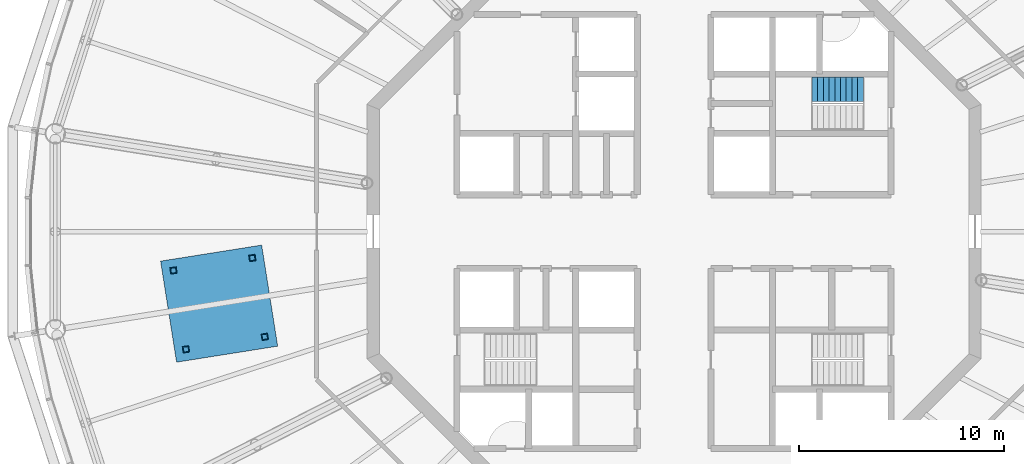
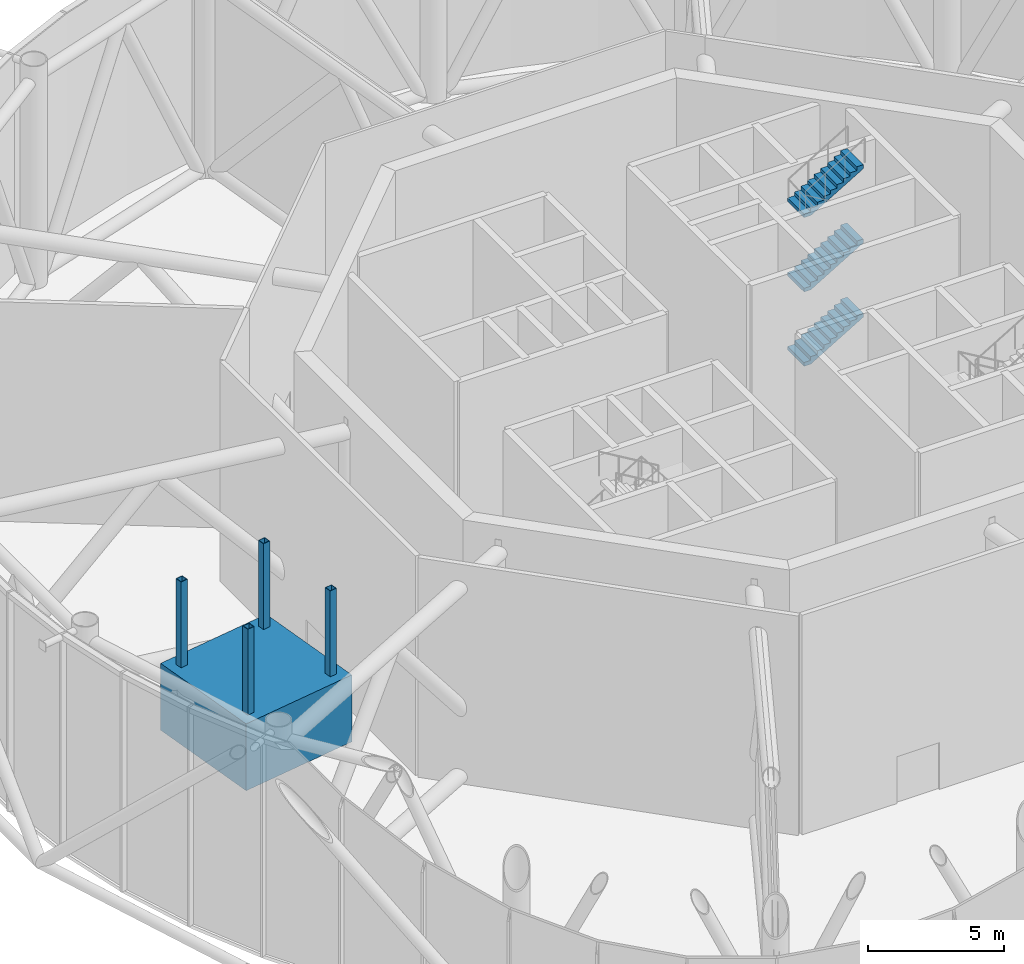
# One storey, part 9 of 23: 5 discrete accessories, 3 stair flights, 1 element without a shape of its own.
"""IFC4 building model written with IfcOpenShell, lengths in metres."""

from ifc_helpers import new_model, si_unit, direction, frame, origin, origin_2d, place, context, subcontext, project, spatial, polyline, rectangle, hollow_rectangle, outline, extrude, material, type_object, element, aggregate, save


model = new_model("IFC4")

# Units and contexts
model_context = context("Model", 3, precision=1e-05, world=origin(), true_north=direction((0.0, 1.0)))
body_context = subcontext(model_context, "Body", "Model", "MODEL_VIEW")
ifc_project = project(units=[si_unit("LENGTHUNIT", "METRE"), si_unit("AREAUNIT", "SQUARE_METRE"), si_unit("VOLUMEUNIT", "CUBIC_METRE"), si_unit("PLANEANGLEUNIT", "RADIAN"), si_unit("MASSUNIT", "GRAM", prefix="KILO")], contexts=[model_context])

# Site, building, storey
site_placement = place(None, origin())
site = spatial("IfcSite", under=ifc_project, at=site_placement, CompositionType="ELEMENT")
building_placement = place(site_placement, origin())
building = spatial("IfcBuilding", under=site, at=building_placement, Name="Entoto Ring Tower", CompositionType="ELEMENT")
storey_placement = place(building_placement, frame((0.0, 0.0, 392.0)))
storey = spatial("IfcBuildingStorey", under=building, at=storey_placement, Name="L91", CompositionType="ELEMENT", Elevation=392.0)

# Stair, stair flights
ifc_material_1 = material(Name="Concrete C40/50", Category="concrete")
stair_type = type_object("IfcStairType", Name="Exit stair 1200 mm dog-leg reinforced concrete", PredefinedType="HALF_TURN_STAIR", material=ifc_material_1)
stair_placement = place(storey_placement, origin())
stair = element("IfcStair", 1, at=stair_placement, inside=storey, type_object=stair_type, Name="Exit stair 1", PredefinedType="HALF_TURN_STAIR")
ifc_material_2 = material(Name="Concrete C40/50", Category="concrete")
stair_flight_type = type_object("IfcStairFlightType", Name="Stair flight 1200 mm reinforced concrete", PredefinedType="STRAIGHT", material=ifc_material_2)
stair_flight_1_placement = place(storey_placement, frame((96.72998046875, 86.949951171875, 1.666748046875), z_axis=(0.0, 0.0, 1.0), x_axis=(1.0, 0.0, 0.0)))
stair_flight_1 = element("IfcStairFlight", 2, at=stair_flight_1_placement, type_object=stair_flight_type, Name="ST1 flight 2", NumberOfRisers=10, NumberOfTreads=9, PredefinedType="STRAIGHT", RiserHeight=0.166666667, TreadLength=0.28, context=body_context, shape_type="SweptSolid", body=[
    extrude(outline(polyline([(0.0, 0.0), (0.0, 0.166748046875), (0.280029296875, 0.166748046875), (0.280029296875, 0.333251953125), (0.56005859375, 0.333251953125), (0.56005859375, 0.5), (0.840087890625, 0.5), (0.840087890625, 0.666748046875), (1.1201171875, 0.666748046875), (1.1201171875, 0.833251953125), (1.39990234375, 0.833251953125), (1.39990234375, 1.0), (1.679931640625, 1.0), (1.679931640625, 1.166748046875), (1.9599609375, 1.166748046875), (1.9599609375, 1.333251953125), (2.239990234375, 1.333251953125), (2.239990234375, 1.5), (2.52001953125, 1.5), (2.52001953125, 1.666748046875), (2.52001953125, 1.325439453125), (0.29296875, 0.0), (0.0, 0.0)])), frame((0.0, 0.60009765625, 0.0), z_axis=(0.0, -1.0, 0.0), x_axis=(1.0, 0.0, 0.0)), (0.0, 0.0, 1.0), 1.199951171875),
])
stair_flight_2_placement = place(storey_placement, frame((96.72998046875, 86.949951171875, 5.0), z_axis=(0.0, 0.0, 1.0), x_axis=(1.0, 0.0, 0.0)))
stair_flight_2 = element("IfcStairFlight", 3, at=stair_flight_2_placement, type_object=stair_flight_type, Name="ST1 flight 4", NumberOfRisers=10, NumberOfTreads=9, PredefinedType="STRAIGHT", RiserHeight=0.166666667, TreadLength=0.28, context=body_context, shape_type="SweptSolid", body=[
    extrude(outline(polyline([(0.0, 0.0), (0.0, 0.166748046875), (0.280029296875, 0.166748046875), (0.280029296875, 0.333251953125), (0.56005859375, 0.333251953125), (0.56005859375, 0.5), (0.840087890625, 0.5), (0.840087890625, 0.666748046875), (1.1201171875, 0.666748046875), (1.1201171875, 0.833251953125), (1.39990234375, 0.833251953125), (1.39990234375, 1.0), (1.679931640625, 1.0), (1.679931640625, 1.166748046875), (1.9599609375, 1.166748046875), (1.9599609375, 1.333251953125), (2.239990234375, 1.333251953125), (2.239990234375, 1.5), (2.52001953125, 1.5), (2.52001953125, 1.666748046875), (2.52001953125, 1.325439453125), (0.29296875, 0.0), (0.0, 0.0)])), frame((0.0, 0.60009765625, 0.0), z_axis=(0.0, -1.0, 0.0), x_axis=(1.0, 0.0, 0.0)), (0.0, 0.0, 1.0), 1.199951171875),
])
stair_flight_3_placement = place(storey_placement, frame((96.72998046875, 86.949951171875, 8.333251953125), z_axis=(0.0, 0.0, 1.0), x_axis=(1.0, 0.0, 0.0)))
stair_flight_3 = element("IfcStairFlight", 4, at=stair_flight_3_placement, type_object=stair_flight_type, Name="ST1 flight 6", NumberOfRisers=10, NumberOfTreads=9, PredefinedType="STRAIGHT", RiserHeight=0.166666667, TreadLength=0.28, context=body_context, shape_type="SweptSolid", body=[
    extrude(outline(polyline([(0.0, 0.0), (0.0, 0.166748046875), (0.280029296875, 0.166748046875), (0.280029296875, 0.333251953125), (0.56005859375, 0.333251953125), (0.56005859375, 0.5), (0.840087890625, 0.5), (0.840087890625, 0.666748046875), (1.1201171875, 0.666748046875), (1.1201171875, 0.833251953125), (1.39990234375, 0.833251953125), (1.39990234375, 1.0), (1.679931640625, 1.0), (1.679931640625, 1.166748046875), (1.9599609375, 1.166748046875), (1.9599609375, 1.333251953125), (2.239990234375, 1.333251953125), (2.239990234375, 1.5), (2.52001953125, 1.5), (2.52001953125, 1.666748046875), (2.52001953125, 1.325439453125), (0.29296875, 0.0), (0.0, 0.0)])), frame((0.0, 0.60009765625, 0.0), z_axis=(0.0, -1.0, 0.0), x_axis=(1.0, 0.0, 0.0)), (0.0, 0.0, 1.0), 1.199951171875),
])
aggregate(stair, [stair_flight_1, stair_flight_2, stair_flight_3])

# Discrete accessories
discrete_accessory_placement = place(storey_placement, frame((67.777099609375, 76.480224609375, 1.199951171875), z_axis=(0.0, 0.0, 1.0), x_axis=(-0.987688340595, -0.15643446504, 0.0)))
element("IfcDiscreteAccessory", 5, at=discrete_accessory_placement, inside=storey, Name="Tuned mass damper", PredefinedType="NOTDEFINED", context=body_context, shape_type="SweptSolid", body=[
    extrude(rectangle(XDim=5.0, YDim=5.0, at=origin_2d()), origin(), (0.0, 0.0, 1.0), 3.0),
])
ifc_material_3 = material(Name="Steel S355", Category="steel")
for number, where, z_axis, x_axis, name in (
    (6, (69.39794921875, 78.711181640625, 4.199951171875), (0.0, 0.0, 1.0), (0.15643446504, -0.987688340595, 0.0), "DAMPER HANGER 1"),
    (7, (70.008056640625, 74.859375, 4.199951171875), (0.0, 0.0, 1.0), (0.15643446504, -0.987688340595, 0.0), "DAMPER HANGER 2"),
    (8, (65.5458984375, 78.10107421875, 4.199951171875), (0.0, 0.0, 1.0), (0.15643446504, -0.987688340595, 0.0), "DAMPER HANGER 3"),
    (9, (66.156005859375, 74.249267578125, 4.199951171875), (0.0, 0.0, 1.0), (0.15643446504, -0.987688340595, 0.0), "DAMPER HANGER 4"),
):
    element("IfcDiscreteAccessory", number, at=place(storey_placement, frame(where, z_axis=z_axis, x_axis=x_axis)), inside=storey, material=ifc_material_3, Name=name, PredefinedType="BRACKET", context=body_context, shape_type="SweptSolid", body=[
        extrude(hollow_rectangle(XDim=0.300048828125, YDim=0.300048828125, WallThickness=0.02001953125, at=origin_2d()), origin(), (0.0, 0.0, 1.0), 3.85009765625),
    ])

save(model, "model.ifc")
